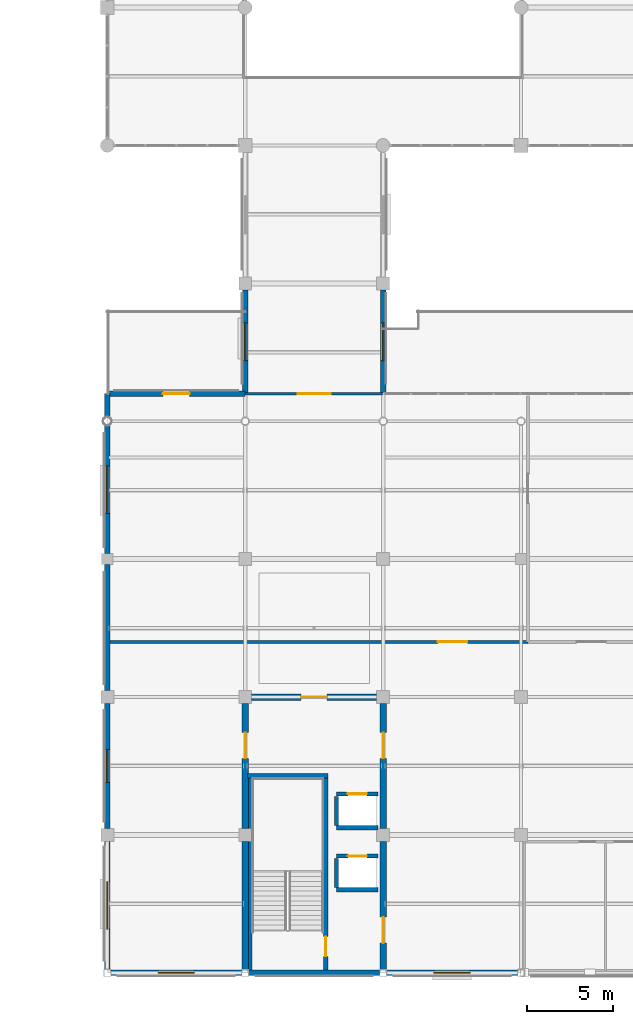
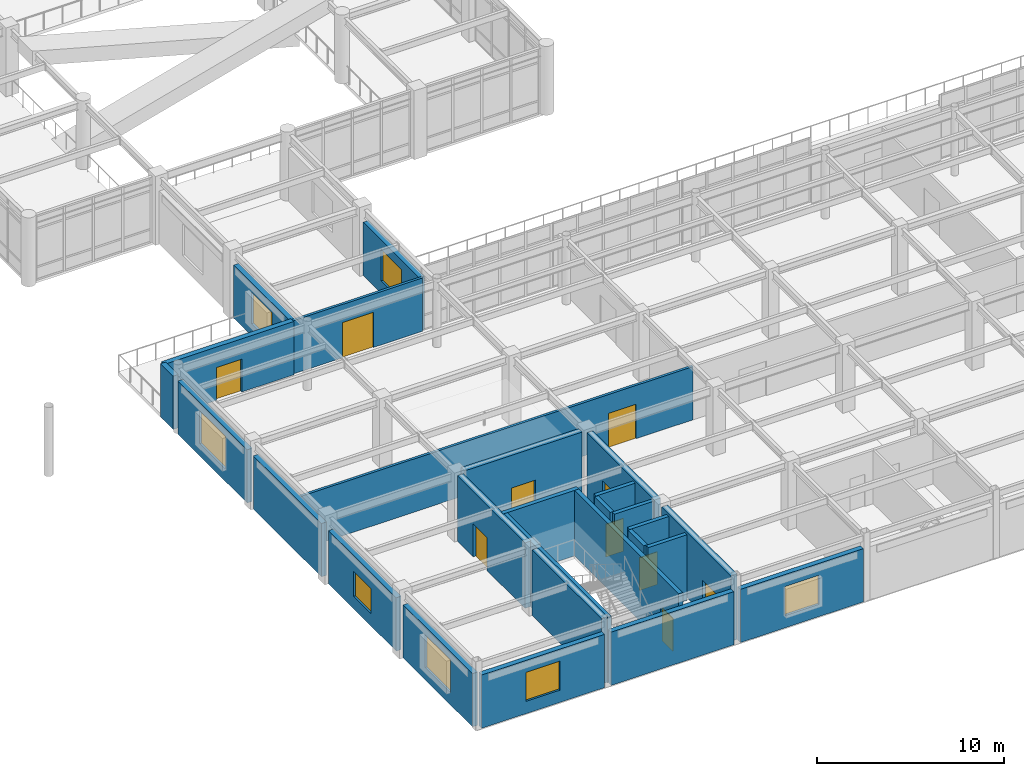
# One storey, part 58 of 93: 27 walls, 10 doors, 7 windows, 17 openings.
"""IFC4 building model written with IfcOpenShell, lengths in metres."""

from ifc_helpers import new_model, si_unit, direction, frame, frame_2d, origin, place, context, subcontext, project, spatial, rectangle, extrude, material, layer, layer_set, type_object, element, fill, save


model = new_model("IFC4")

# Units and contexts
model_context = context("Model", 3, precision=1e-05, world=origin(), true_north=direction((0.0, 1.0)))
body_context = subcontext(model_context, "Body", "Model", "MODEL_VIEW")
ifc_project = project(units=[si_unit("LENGTHUNIT", "METRE"), si_unit("AREAUNIT", "SQUARE_METRE"), si_unit("VOLUMEUNIT", "CUBIC_METRE"), si_unit("PLANEANGLEUNIT", "RADIAN"), si_unit("MASSUNIT", "GRAM", prefix="KILO")], contexts=[model_context])

# Site, building, storey
site_placement = place(None, origin())
site = spatial("IfcSite", under=ifc_project, at=site_placement, CompositionType="ELEMENT")
building_placement = place(site_placement, origin())
building = spatial("IfcBuilding", under=site, at=building_placement, Name="Solmirada Galleria", CompositionType="ELEMENT")
storey_placement = place(building_placement, frame((0.0, 0.0, 14.89990234375)))
storey = spatial("IfcBuildingStorey", under=building, at=storey_placement, Name="L03", CompositionType="ELEMENT", Elevation=14.89990234375)

# Wall, opening, door
ifc_material_1 = material(Name="Concrete C40/50", Category="concrete")
ifc_layer_1 = layer(ifc_material_1, 0.3798828125)
ifc_layer_set_1 = layer_set([ifc_layer_1], Name="Concrete C40/50")
wall_type_1 = type_object("IfcWallType", Name="WL-CORE-380", PredefinedType="SHEAR", material=ifc_layer_set_1)
wall_1_placement = place(storey_placement, frame((88.375, 16.0, 0.0), z_axis=(0.0, 0.0, 1.0), x_axis=(1.0, 0.0, 0.0)))
wall_1 = element("IfcWall", 1, at=wall_1_placement, inside=storey, type_object=wall_type_1, Name="Core C2 shear wall L03 N1", PredefinedType="SHEAR", context=body_context, shape_type="SweptSolid", body=[
    extrude(rectangle(XDim=7.25, YDim=0.3798828125, at=frame_2d((3.625, 0.0))), origin(), (0.0, 0.0, 1.0), 4.280029296875),
])
opening_1_placement = place(wall_1_placement, frame((2.875, 0.0, 0.0)))
opening_1 = element("IfcOpeningElement", 2, at=opening_1_placement, cuts=wall_1, Name="Opening LDY-150", PredefinedType="OPENING", context=body_context, shape_type="SweptSolid", body=[
    extrude(rectangle(XDim=1.5, YDim=2.14990234375, at=frame_2d((0.75, 1.074951171875))), frame((0.0, 0.199951171875, 0.0), z_axis=(0.0, -1.0, 0.0), x_axis=(1.0, 0.0, 0.0)), (0.0, 0.0, 1.0), 0.39990234375),
])
ifc_material_2 = material(Name="Fire-rated painted steel door assembly", Category="steel")
door_type_1 = type_object("IfcDoorType", Name="DR-LOBBY-150X215", OperationType="DOUBLE_DOOR_SINGLE_SWING", PredefinedType="DOOR", material=ifc_material_2)
door_1_placement = place(opening_1_placement, origin())
door_1 = element("IfcDoor", 3, at=door_1_placement, inside=storey, type_object=door_type_1, Name="Core C2 lobby access fire door LDY-150", OperationType="DOUBLE_DOOR_SINGLE_SWING", OverallHeight=2.14990234375, OverallWidth=1.5, PredefinedType="DOOR", context=body_context, shape_type="SweptSolid", body=[
    extrude(rectangle(XDim=1.5, YDim=2.14990234375, at=frame_2d((0.75, 1.074951171875))), frame((0.0, 0.02490234375, 0.0), z_axis=(0.0, -1.0, 0.0), x_axis=(1.0, 0.0, 0.0)), (0.0, 0.0, 1.0), 0.050048828125),
])
fill(opening_1, door_1)

# Wall
wall_2_placement = place(storey_placement, frame((88.0, 0.202880859375, 0.0), z_axis=(0.0, 0.0, 1.0), x_axis=(0.0, 1.0, 0.0)))
element("IfcWall", 4, at=wall_2_placement, inside=storey, type_object=wall_type_1, Name="Core C2 shear wall L03 W1", PredefinedType="SHEAR", context=body_context, shape_type="SweptSolid", body=[
    extrude(rectangle(XDim=7.422119140625, YDim=0.3798828125, at=frame_2d((3.7109375, 0.0))), origin(), (0.0, 0.0, 1.0), 4.280029296875),
])

# Wall, opening, door
wall_3_placement = place(storey_placement, frame((88.0, 8.375, 0.0), z_axis=(0.0, 0.0, 1.0), x_axis=(0.0, 1.0, 0.0)))
wall_3 = element("IfcWall", 5, at=wall_3_placement, inside=storey, type_object=wall_type_1, Name="Core C2 shear wall L03 W2", PredefinedType="SHEAR", context=body_context, shape_type="SweptSolid", body=[
    extrude(rectangle(XDim=7.25, YDim=0.3798828125, at=frame_2d((3.625, 0.0))), origin(), (0.0, 0.0, 1.0), 4.280029296875),
])
opening_2_placement = place(wall_3_placement, frame((4.06201171875, 0.0, 0.0)))
opening_2 = element("IfcOpeningElement", 6, at=opening_2_placement, cuts=wall_3, Name="Opening LDY-151", PredefinedType="OPENING", context=body_context, shape_type="SweptSolid", body=[
    extrude(rectangle(XDim=1.5, YDim=2.14990234375, at=frame_2d((0.75, 1.074951171875))), frame((0.0, 0.199951171875, 0.0), z_axis=(0.0, -1.0, 0.0), x_axis=(1.0, 0.0, 0.0)), (0.0, 0.0, 1.0), 0.39990234375),
])
door_2_placement = place(opening_2_placement, origin())
door_2 = element("IfcDoor", 7, at=door_2_placement, inside=storey, type_object=door_type_1, Name="Core C2 lobby access fire door LDY-151", OperationType="DOUBLE_DOOR_SINGLE_SWING", OverallHeight=2.14990234375, OverallWidth=1.5, PredefinedType="DOOR", context=body_context, shape_type="SweptSolid", body=[
    extrude(rectangle(XDim=1.5, YDim=2.14990234375, at=frame_2d((0.75, 1.074951171875))), frame((0.0, 0.02490234375, 0.0), z_axis=(0.0, -1.0, 0.0), x_axis=(1.0, 0.0, 0.0)), (0.0, 0.0, 1.0), 0.050048828125),
])
fill(opening_2, door_2)

wall_4_placement = place(storey_placement, frame((96.0, 0.202880859375, 0.0), z_axis=(0.0, 0.0, 1.0), x_axis=(0.0, 1.0, 0.0)))
wall_4 = element("IfcWall", 8, at=wall_4_placement, inside=storey, type_object=wall_type_1, Name="Core C2 shear wall L03 E1", PredefinedType="SHEAR", context=body_context, shape_type="SweptSolid", body=[
    extrude(rectangle(XDim=7.422119140625, YDim=0.3798828125, at=frame_2d((3.7109375, 0.0))), origin(), (0.0, 0.0, 1.0), 4.280029296875),
])
opening_3_placement = place(wall_4_placement, frame((1.52294921875, 0.0, 0.0)))
opening_3 = element("IfcOpeningElement", 9, at=opening_3_placement, cuts=wall_4, Name="Opening LDY-152", PredefinedType="OPENING", context=body_context, shape_type="SweptSolid", body=[
    extrude(rectangle(XDim=1.5, YDim=2.14990234375, at=frame_2d((0.75, 1.074951171875))), frame((0.0, 0.199951171875, 0.0), z_axis=(0.0, -1.0, 0.0), x_axis=(1.0, 0.0, 0.0)), (0.0, 0.0, 1.0), 0.39990234375),
])
door_3_placement = place(opening_3_placement, origin())
door_3 = element("IfcDoor", 10, at=door_3_placement, inside=storey, type_object=door_type_1, Name="Core C2 lobby access fire door LDY-152", OperationType="DOUBLE_DOOR_SINGLE_SWING", OverallHeight=2.14990234375, OverallWidth=1.5, PredefinedType="DOOR", context=body_context, shape_type="SweptSolid", body=[
    extrude(rectangle(XDim=1.5, YDim=2.14990234375, at=frame_2d((0.75, 1.074951171875))), frame((0.0, 0.02490234375, 0.0), z_axis=(0.0, -1.0, 0.0), x_axis=(1.0, 0.0, 0.0)), (0.0, 0.0, 1.0), 0.050048828125),
])
fill(opening_3, door_3)

wall_5_placement = place(storey_placement, frame((96.0, 8.375, 0.0), z_axis=(0.0, 0.0, 1.0), x_axis=(0.0, 1.0, 0.0)))
wall_5 = element("IfcWall", 11, at=wall_5_placement, inside=storey, type_object=wall_type_1, Name="Core C2 shear wall L03 E2", PredefinedType="SHEAR", context=body_context, shape_type="SweptSolid", body=[
    extrude(rectangle(XDim=7.25, YDim=0.3798828125, at=frame_2d((3.625, 0.0))), origin(), (0.0, 0.0, 1.0), 4.280029296875),
])
opening_4_placement = place(wall_5_placement, frame((4.06201171875, 0.0, 0.0)))
opening_4 = element("IfcOpeningElement", 12, at=opening_4_placement, cuts=wall_5, Name="Opening LDY-153", PredefinedType="OPENING", context=body_context, shape_type="SweptSolid", body=[
    extrude(rectangle(XDim=1.5, YDim=2.14990234375, at=frame_2d((0.75, 1.074951171875))), frame((0.0, 0.199951171875, 0.0), z_axis=(0.0, -1.0, 0.0), x_axis=(1.0, 0.0, 0.0)), (0.0, 0.0, 1.0), 0.39990234375),
])
door_4_placement = place(opening_4_placement, origin())
door_4 = element("IfcDoor", 13, at=door_4_placement, inside=storey, type_object=door_type_1, Name="Core C2 lobby access fire door LDY-153", OperationType="DOUBLE_DOOR_SINGLE_SWING", OverallHeight=2.14990234375, OverallWidth=1.5, PredefinedType="DOOR", context=body_context, shape_type="SweptSolid", body=[
    extrude(rectangle(XDim=1.5, YDim=2.14990234375, at=frame_2d((0.75, 1.074951171875))), frame((0.0, 0.02490234375, 0.0), z_axis=(0.0, -1.0, 0.0), x_axis=(1.0, 0.0, 0.0)), (0.0, 0.0, 1.0), 0.050048828125),
])
fill(opening_4, door_4)

# Wall, opening, window
ifc_material_3 = material(Name="Precast concrete C40/50", Category="concrete")
ifc_layer_2 = layer(ifc_material_3, 0.31005859375)
ifc_layer_set_2 = layer_set([ifc_layer_2], Name="Precast concrete C40/50")
wall_type_2 = type_object("IfcWallType", Name="WL-EXT-310", PredefinedType="STANDARD", material=ifc_layer_set_2)
wall_6_placement = place(storey_placement, frame((88.0, 33.60009765625, 0.0), z_axis=(0.0, 0.0, 1.0), x_axis=(0.0, 1.0, 0.0)))
wall_6 = element("IfcWall", 14, at=wall_6_placement, inside=storey, type_object=wall_type_2, Name="Exterior wall L03 bay 001", PredefinedType="STANDARD", context=body_context, shape_type="SweptSolid", body=[
    extrude(rectangle(XDim=6.02490234375, YDim=0.31005859375, at=frame_2d((3.012451171875, 0.0))), origin(), (0.0, 0.0, 1.0), 3.47998046875),
])
opening_5_placement = place(wall_6_placement, frame((1.912109375, 0.0, 0.800048828125)))
opening_5 = element("IfcOpeningElement", 15, at=opening_5_placement, cuts=wall_6, Name="Opening WN3", PredefinedType="OPENING", context=body_context, shape_type="SweptSolid", body=[
    extrude(rectangle(XDim=2.199951171875, YDim=2.050048828125, at=frame_2d((1.10009765625, 1.02490234375))), frame((0.0, 0.1650390625, 0.0), z_axis=(0.0, -1.0, 0.0), x_axis=(1.0, 0.0, 0.0)), (0.0, 0.0, 1.0), 0.330078125),
])
ifc_material_4 = material(Name="Impact-resistant low-E double glazing", Category="glass")
window_type_1 = type_object("IfcWindowType", Name="WIN-AVE-220X205", PartitioningType="DOUBLE_PANEL_VERTICAL", PredefinedType="WINDOW", material=ifc_material_4)
window_1_placement = place(opening_5_placement, origin())
window_1 = element("IfcWindow", 16, at=window_1_placement, inside=storey, type_object=window_type_1, Name="Window L03-068", OverallHeight=2.050048828125, OverallWidth=2.199951171875, PartitioningType="DOUBLE_PANEL_VERTICAL", PredefinedType="WINDOW", context=body_context, shape_type="SweptSolid", body=[
    extrude(rectangle(XDim=2.199951171875, YDim=2.050048828125, at=frame_2d((1.10009765625, 1.02490234375))), frame((0.0, 0.030029296875, 0.0), z_axis=(0.0, -1.0, 0.0), x_axis=(1.0, 0.0, 0.0)), (0.0, 0.0, 1.0), 0.06005859375),
])
fill(opening_5, window_1)

wall_7_placement = place(storey_placement, frame((96.0, 39.625, 0.0), z_axis=(0.0, 0.0, 1.0), x_axis=(0.0, -1.0, 0.0)))
wall_7 = element("IfcWall", 17, at=wall_7_placement, inside=storey, type_object=wall_type_2, Name="Exterior wall L03 bay 047", PredefinedType="STANDARD", context=body_context, shape_type="SweptSolid", body=[
    extrude(rectangle(XDim=6.02490234375, YDim=0.31005859375, at=frame_2d((3.012451171875, 0.0))), origin(), (0.0, 0.0, 1.0), 3.47998046875),
])
opening_6_placement = place(wall_7_placement, frame((1.912109375, 0.0, 0.800048828125)))
opening_6 = element("IfcOpeningElement", 18, at=opening_6_placement, cuts=wall_7, Name="Opening WN3", PredefinedType="OPENING", context=body_context, shape_type="SweptSolid", body=[
    extrude(rectangle(XDim=2.199951171875, YDim=2.050048828125, at=frame_2d((1.10009765625, 1.02490234375))), frame((0.0, 0.1650390625, 0.0), z_axis=(0.0, -1.0, 0.0), x_axis=(1.0, 0.0, 0.0)), (0.0, 0.0, 1.0), 0.330078125),
])
window_2_placement = place(opening_6_placement, origin())
window_2 = element("IfcWindow", 19, at=window_2_placement, inside=storey, type_object=window_type_1, Name="Window L03-087", OverallHeight=2.050048828125, OverallWidth=2.199951171875, PartitioningType="DOUBLE_PANEL_VERTICAL", PredefinedType="WINDOW", context=body_context, shape_type="SweptSolid", body=[
    extrude(rectangle(XDim=2.199951171875, YDim=2.050048828125, at=frame_2d((1.10009765625, 1.02490234375))), frame((0.0, 0.030029296875, 0.0), z_axis=(0.0, -1.0, 0.0), x_axis=(1.0, 0.0, 0.0)), (0.0, 0.0, 1.0), 0.06005859375),
])
fill(opening_6, window_2)

wall_8_placement = place(storey_placement, frame((103.797119140625, 0.0, 0.0), z_axis=(0.0, 0.0, 1.0), x_axis=(-1.0, 0.0, 0.0)))
wall_8 = element("IfcWall", 20, at=wall_8_placement, inside=storey, type_object=wall_type_2, Name="Exterior wall L03 bay 064", PredefinedType="STANDARD", context=body_context, shape_type="SweptSolid", body=[
    extrude(rectangle(XDim=7.59423828125, YDim=0.31005859375, at=frame_2d((3.797119140625, 0.0))), origin(), (0.0, 0.0, 1.0), 3.47998046875),
])
opening_7_placement = place(wall_8_placement, frame((2.7470703125, 0.0, 0.800048828125)))
opening_7 = element("IfcOpeningElement", 21, at=opening_7_placement, cuts=wall_8, Name="Opening WN29", PredefinedType="OPENING", context=body_context, shape_type="SweptSolid", body=[
    extrude(rectangle(XDim=2.10009765625, YDim=1.89990234375, at=frame_2d((1.050048828125, 0.949951171875))), frame((0.0, 0.1650390625, 0.0), z_axis=(0.0, -1.0, 0.0), x_axis=(1.0, 0.0, 0.0)), (0.0, 0.0, 1.0), 0.330078125),
])
window_type_2 = type_object("IfcWindowType", Name="WIN-ATEL-210X190", PartitioningType="DOUBLE_PANEL_VERTICAL", PredefinedType="WINDOW", material=ifc_material_4)
window_3_placement = place(opening_7_placement, origin())
window_3 = element("IfcWindow", 22, at=window_3_placement, inside=storey, type_object=window_type_2, Name="Window L03-092", OverallHeight=1.89990234375, OverallWidth=2.10009765625, PartitioningType="DOUBLE_PANEL_VERTICAL", PredefinedType="WINDOW", context=body_context, shape_type="SweptSolid", body=[
    extrude(rectangle(XDim=2.10009765625, YDim=1.89990234375, at=frame_2d((1.050048828125, 0.949951171875))), frame((0.0, 0.030029296875, 0.0), z_axis=(0.0, -1.0, 0.0), x_axis=(1.0, 0.0, 0.0)), (0.0, 0.0, 1.0), 0.06005859375),
])
fill(opening_7, window_3)

# Wall
wall_9_placement = place(storey_placement, frame((95.797119140625, 0.0, 0.0), z_axis=(0.0, 0.0, 1.0), x_axis=(-1.0, 0.0, 0.0)))
element("IfcWall", 23, at=wall_9_placement, inside=storey, type_object=wall_type_2, Name="Exterior wall L03 bay 065", PredefinedType="STANDARD", context=body_context, shape_type="SweptSolid", body=[
    extrude(rectangle(XDim=7.59423828125, YDim=0.31005859375, at=frame_2d((3.797119140625, 0.0))), origin(), (0.0, 0.0, 1.0), 3.47998046875),
])

# Wall, opening, window
wall_10_placement = place(storey_placement, frame((87.797119140625, 0.0, 0.0), z_axis=(0.0, 0.0, 1.0), x_axis=(-1.0, 0.0, 0.0)))
wall_10 = element("IfcWall", 24, at=wall_10_placement, inside=storey, type_object=wall_type_2, Name="Exterior wall L03 bay 066", PredefinedType="STANDARD", context=body_context, shape_type="SweptSolid", body=[
    extrude(rectangle(XDim=7.59423828125, YDim=0.31005859375, at=frame_2d((3.797119140625, 0.0))), origin(), (0.0, 0.0, 1.0), 3.47998046875),
])
opening_8_placement = place(wall_10_placement, frame((2.7470703125, 0.0, 0.800048828125)))
opening_8 = element("IfcOpeningElement", 25, at=opening_8_placement, cuts=wall_10, Name="Opening WN29", PredefinedType="OPENING", context=body_context, shape_type="SweptSolid", body=[
    extrude(rectangle(XDim=2.10009765625, YDim=1.89990234375, at=frame_2d((1.050048828125, 0.949951171875))), frame((0.0, 0.1650390625, 0.0), z_axis=(0.0, -1.0, 0.0), x_axis=(1.0, 0.0, 0.0)), (0.0, 0.0, 1.0), 0.330078125),
])
window_4_placement = place(opening_8_placement, origin())
window_4 = element("IfcWindow", 26, at=window_4_placement, inside=storey, type_object=window_type_2, Name="Window L03-093", OverallHeight=1.89990234375, OverallWidth=2.10009765625, PartitioningType="DOUBLE_PANEL_VERTICAL", PredefinedType="WINDOW", context=body_context, shape_type="SweptSolid", body=[
    extrude(rectangle(XDim=2.10009765625, YDim=1.89990234375, at=frame_2d((1.050048828125, 0.949951171875))), frame((0.0, 0.030029296875, 0.0), z_axis=(0.0, -1.0, 0.0), x_axis=(1.0, 0.0, 0.0)), (0.0, 0.0, 1.0), 0.06005859375),
])
fill(opening_8, window_4)

wall_11_placement = place(storey_placement, frame((80.0, 0.202880859375, 0.0), z_axis=(0.0, 0.0, 1.0), x_axis=(0.0, 1.0, 0.0)))
wall_11 = element("IfcWall", 27, at=wall_11_placement, inside=storey, type_object=wall_type_2, Name="Exterior wall L03 bay 067", PredefinedType="STANDARD", context=body_context, shape_type="SweptSolid", body=[
    extrude(rectangle(XDim=7.422119140625, YDim=0.31005859375, at=frame_2d((3.7109375, 0.0))), origin(), (0.0, 0.0, 1.0), 3.47998046875),
])
opening_9_placement = place(wall_11_placement, frame((2.3359375, 0.0, 0.800048828125)))
opening_9 = element("IfcOpeningElement", 28, at=opening_9_placement, cuts=wall_11, Name="Opening WN33", PredefinedType="OPENING", context=body_context, shape_type="SweptSolid", body=[
    extrude(rectangle(XDim=2.75, YDim=2.14990234375, at=frame_2d((1.375, 1.074951171875))), frame((0.0, 0.1650390625, 0.0), z_axis=(0.0, -1.0, 0.0), x_axis=(1.0, 0.0, 0.0)), (0.0, 0.0, 1.0), 0.330078125),
])
window_type_3 = type_object("IfcWindowType", Name="WIN-BRAS-275X215", PartitioningType="TRIPLE_PANEL_VERTICAL", PredefinedType="WINDOW", material=ifc_material_4)
window_5_placement = place(opening_9_placement, origin())
window_5 = element("IfcWindow", 29, at=window_5_placement, inside=storey, type_object=window_type_3, Name="Window L03-094", OverallHeight=2.14990234375, OverallWidth=2.75, PartitioningType="TRIPLE_PANEL_VERTICAL", PredefinedType="WINDOW", context=body_context, shape_type="SweptSolid", body=[
    extrude(rectangle(XDim=2.75, YDim=2.14990234375, at=frame_2d((1.375, 1.074951171875))), frame((0.0, 0.030029296875, 0.0), z_axis=(0.0, -1.0, 0.0), x_axis=(1.0, 0.0, 0.0)), (0.0, 0.0, 1.0), 0.06005859375),
])
fill(opening_9, window_5)

wall_12_placement = place(storey_placement, frame((80.0, 8.375, 0.0), z_axis=(0.0, 0.0, 1.0), x_axis=(0.0, 1.0, 0.0)))
wall_12 = element("IfcWall", 30, at=wall_12_placement, inside=storey, type_object=wall_type_2, Name="Exterior wall L03 bay 068", PredefinedType="STANDARD", context=body_context, shape_type="SweptSolid", body=[
    extrude(rectangle(XDim=7.25, YDim=0.31005859375, at=frame_2d((3.625, 0.0))), origin(), (0.0, 0.0, 1.0), 3.47998046875),
])
opening_10_placement = place(wall_12_placement, frame((2.675048828125, 0.0, 0.800048828125)))
opening_10 = element("IfcOpeningElement", 31, at=opening_10_placement, cuts=wall_12, Name="Opening WN18", PredefinedType="OPENING", context=body_context, shape_type="SweptSolid", body=[
    extrude(rectangle(XDim=1.89990234375, YDim=1.64990234375, at=frame_2d((0.949951171875, 0.824951171875))), frame((0.0, 0.1650390625, 0.0), z_axis=(0.0, -1.0, 0.0), x_axis=(1.0, 0.0, 0.0)), (0.0, 0.0, 1.0), 0.330078125),
])
window_type_4 = type_object("IfcWindowType", Name="WIN-FH-190X165", PartitioningType="DOUBLE_PANEL_VERTICAL", PredefinedType="WINDOW", material=ifc_material_4)
window_6_placement = place(opening_10_placement, origin())
window_6 = element("IfcWindow", 32, at=window_6_placement, inside=storey, type_object=window_type_4, Name="Window L03-095", OverallHeight=1.64990234375, OverallWidth=1.89990234375, PartitioningType="DOUBLE_PANEL_VERTICAL", PredefinedType="WINDOW", context=body_context, shape_type="SweptSolid", body=[
    extrude(rectangle(XDim=1.89990234375, YDim=1.64990234375, at=frame_2d((0.949951171875, 0.824951171875))), frame((0.0, 0.030029296875, 0.0), z_axis=(0.0, -1.0, 0.0), x_axis=(1.0, 0.0, 0.0)), (0.0, 0.0, 1.0), 0.06005859375),
])
fill(opening_10, window_6)

# Wall
wall_13_placement = place(storey_placement, frame((80.0, 16.375, 0.0), z_axis=(0.0, 0.0, 1.0), x_axis=(0.0, 1.0, 0.0)))
element("IfcWall", 33, at=wall_13_placement, inside=storey, type_object=wall_type_2, Name="Exterior wall L03 bay 069", PredefinedType="STANDARD", context=body_context, shape_type="SweptSolid", body=[
    extrude(rectangle(XDim=7.300048828125, YDim=0.31005859375, at=frame_2d((3.64990234375, 0.0))), origin(), (0.0, 0.0, 1.0), 3.47998046875),
])

# Wall, opening, window
wall_14_placement = place(storey_placement, frame((80.0, 24.324951171875, 0.0), z_axis=(0.0, 0.0, 1.0), x_axis=(0.0, 1.0, 0.0)))
wall_14 = element("IfcWall", 34, at=wall_14_placement, inside=storey, type_object=wall_type_2, Name="Exterior wall L03 bay 070", PredefinedType="STANDARD", context=body_context, shape_type="SweptSolid", body=[
    extrude(rectangle(XDim=7.421142578125, YDim=0.31005859375, at=frame_2d((3.71044921875, 0.0))), origin(), (0.0, 0.0, 1.0), 3.47998046875),
])
opening_11_placement = place(wall_14_placement, frame((2.3349609375, 0.0, 0.800048828125)))
opening_11 = element("IfcOpeningElement", 35, at=opening_11_placement, cuts=wall_14, Name="Opening WN33", PredefinedType="OPENING", context=body_context, shape_type="SweptSolid", body=[
    extrude(rectangle(XDim=2.75, YDim=2.14990234375, at=frame_2d((1.375, 1.074951171875))), frame((0.0, 0.1650390625, 0.0), z_axis=(0.0, -1.0, 0.0), x_axis=(1.0, 0.0, 0.0)), (0.0, 0.0, 1.0), 0.330078125),
])
window_7_placement = place(opening_11_placement, origin())
window_7 = element("IfcWindow", 36, at=window_7_placement, inside=storey, type_object=window_type_3, Name="Window L03-096", OverallHeight=2.14990234375, OverallWidth=2.75, PartitioningType="TRIPLE_PANEL_VERTICAL", PredefinedType="WINDOW", context=body_context, shape_type="SweptSolid", body=[
    extrude(rectangle(XDim=2.75, YDim=2.14990234375, at=frame_2d((1.375, 1.074951171875))), frame((0.0, 0.030029296875, 0.0), z_axis=(0.0, -1.0, 0.0), x_axis=(1.0, 0.0, 0.0)), (0.0, 0.0, 1.0), 0.06005859375),
])
fill(opening_11, window_7)

# Wall
wall_15_placement = place(storey_placement, frame((80.0, 32.25390625, 0.0), z_axis=(0.0, 0.0, 1.0), x_axis=(0.0, 1.0, 0.0)))
element("IfcWall", 37, at=wall_15_placement, inside=storey, type_object=wall_type_2, Name="Exterior wall L03 bay 071", PredefinedType="STANDARD", context=body_context, shape_type="SweptSolid", body=[
    extrude(rectangle(XDim=1.34619140625, YDim=0.31005859375, at=frame_2d((0.673095703125, 0.0))), origin(), (0.0, 0.0, 1.0), 3.47998046875),
])

# Wall, opening, door
wall_16_placement = place(storey_placement, frame((80.0, 33.60009765625, 0.0), z_axis=(0.0, 0.0, 1.0), x_axis=(1.0, 0.0, 0.0)))
wall_16 = element("IfcWall", 38, at=wall_16_placement, inside=storey, type_object=wall_type_2, Name="Exterior wall L03 bay 072", PredefinedType="STANDARD", context=body_context, shape_type="SweptSolid", body=[
    extrude(rectangle(XDim=8.0, YDim=0.31005859375, at=frame_2d((4.0, 0.0))), origin(), (0.0, 0.0, 1.0), 3.47998046875),
])
opening_12_placement = place(wall_16_placement, frame((3.22509765625, 0.0, 0.0)))
opening_12 = element("IfcOpeningElement", 39, at=opening_12_placement, cuts=wall_16, Name="Opening TD-069", PredefinedType="OPENING", context=body_context, shape_type="SweptSolid", body=[
    extrude(rectangle(XDim=1.550048828125, YDim=2.14990234375, at=frame_2d((0.77490234375, 1.074951171875))), frame((0.0, 0.1650390625, 0.0), z_axis=(0.0, -1.0, 0.0), x_axis=(1.0, 0.0, 0.0)), (0.0, 0.0, 1.0), 0.330078125),
])
ifc_material_5 = material(Name="Thermally broken aluminium and laminated glass door", Category="aluminium")
door_type_2 = type_object("IfcDoorType", Name="DR-TERR-155X215", OperationType="DOUBLE_DOOR_SINGLE_SWING", PredefinedType="DOOR", material=ifc_material_5)
door_5_placement = place(opening_12_placement, origin())
door_5 = element("IfcDoor", 40, at=door_5_placement, inside=storey, type_object=door_type_2, Name="Planted terrace access door TD-069", OperationType="DOUBLE_DOOR_SINGLE_SWING", OverallHeight=2.14990234375, OverallWidth=1.550048828125, PredefinedType="DOOR", context=body_context, shape_type="SweptSolid", body=[
    extrude(rectangle(XDim=1.550048828125, YDim=2.14990234375, at=frame_2d((0.77490234375, 1.074951171875))), frame((0.0, 0.02490234375, 0.0), z_axis=(0.0, -1.0, 0.0), x_axis=(1.0, 0.0, 0.0)), (0.0, 0.0, 1.0), 0.050048828125),
])
fill(opening_12, door_5)

ifc_layer_3 = layer(ifc_material_1, 0.239990234375)
ifc_layer_set_3 = layer_set([ifc_layer_3], Name="Concrete C40/50")
wall_type_3 = type_object("IfcWallType", Name="WL-HOIST-240", PredefinedType="PARTITIONING", material=ifc_layer_set_3)
wall_17_placement = place(storey_placement, frame((93.294921875, 6.780029296875, 0.0), z_axis=(0.0, 0.0, 1.0), x_axis=(1.0, 0.0, 0.0)))
wall_17 = element("IfcWall", 41, at=wall_17_placement, inside=storey, type_object=wall_type_3, Name="Lift LP3 hoistway front wall L03", PredefinedType="PARTITIONING", context=body_context, shape_type="SweptSolid", body=[
    extrude(rectangle(XDim=2.41015625, YDim=0.239990234375, at=frame_2d((1.205078125, 0.0))), origin(), (0.0, 0.0, 1.0), 4.280029296875),
])
opening_13_placement = place(wall_17_placement, frame((0.655029296875, 0.0, 0.0)))
opening_13 = element("IfcOpeningElement", 42, at=opening_13_placement, cuts=wall_17, Name="Opening LD-LP3-L03", PredefinedType="OPENING", context=body_context, shape_type="SweptSolid", body=[
    extrude(rectangle(XDim=1.10009765625, YDim=2.14990234375, at=frame_2d((0.550048828125, 1.074951171875))), frame((0.0, 0.1298828125, 0.0), z_axis=(0.0, -1.0, 0.0), x_axis=(1.0, 0.0, 0.0)), (0.0, 0.0, 1.0), 0.260009765625),
])
ifc_material_6 = material(Name="Brushed stainless-steel sliding landing door", Category="steel")
door_type_3 = type_object("IfcDoorType", Name="DR-LIFT-110X215", OperationType="SLIDING_TO_LEFT", PredefinedType="DOOR", material=ifc_material_6)
door_6_placement = place(opening_13_placement, origin())
door_6 = element("IfcDoor", 43, at=door_6_placement, inside=storey, type_object=door_type_3, Name="Lift LP3 sliding landing door L03", OperationType="SLIDING_TO_LEFT", OverallHeight=2.14990234375, OverallWidth=1.10009765625, PredefinedType="DOOR", context=body_context, shape_type="SweptSolid", body=[
    extrude(rectangle(XDim=1.10009765625, YDim=2.14990234375, at=frame_2d((0.550048828125, 1.074951171875))), frame((0.0, 0.02490234375, 0.0), z_axis=(0.0, -1.0, 0.0), x_axis=(1.0, 0.0, 0.0)), (0.0, 0.0, 1.0), 0.050048828125),
])
fill(opening_13, door_6)

# Walls
wall_18_placement = place(storey_placement, frame((93.294921875, 4.820068359375, 0.0), z_axis=(0.0, 0.0, 1.0), x_axis=(1.0, 0.0, 0.0)))
element("IfcWall", 44, at=wall_18_placement, inside=storey, type_object=wall_type_3, Name="Lift LP3 hoistway rear wall L03", PredefinedType="PARTITIONING", context=body_context, shape_type="SweptSolid", body=[
    extrude(rectangle(XDim=2.41015625, YDim=0.239990234375, at=frame_2d((1.205078125, 0.0))), origin(), (0.0, 0.0, 1.0), 4.280029296875),
])
wall_19_placement = place(storey_placement, frame((93.294921875, 4.9599609375, 0.0), z_axis=(0.0, 0.0, 1.0), x_axis=(0.0, 1.0, 0.0)))
element("IfcWall", 45, at=wall_19_placement, inside=storey, type_object=wall_type_3, Name="Lift LP3 hoistway side wall L L03", PredefinedType="PARTITIONING", context=body_context, shape_type="SweptSolid", body=[
    extrude(rectangle(XDim=1.679931640625, YDim=0.239990234375, at=frame_2d((0.83984375, 0.0))), origin(), (0.0, 0.0, 1.0), 4.280029296875),
])

# Wall, opening, door
wall_20_placement = place(storey_placement, frame((93.294921875, 10.3798828125, 0.0), z_axis=(0.0, 0.0, 1.0), x_axis=(1.0, 0.0, 0.0)))
wall_20 = element("IfcWall", 46, at=wall_20_placement, inside=storey, type_object=wall_type_3, Name="Lift LP4 hoistway front wall L03", PredefinedType="PARTITIONING", context=body_context, shape_type="SweptSolid", body=[
    extrude(rectangle(XDim=2.41015625, YDim=0.239990234375, at=frame_2d((1.205078125, 0.0))), origin(), (0.0, 0.0, 1.0), 4.280029296875),
])
opening_14_placement = place(wall_20_placement, frame((0.655029296875, 0.0, 0.0)))
opening_14 = element("IfcOpeningElement", 47, at=opening_14_placement, cuts=wall_20, Name="Opening LD-LP4-L03", PredefinedType="OPENING", context=body_context, shape_type="SweptSolid", body=[
    extrude(rectangle(XDim=1.10009765625, YDim=2.14990234375, at=frame_2d((0.550048828125, 1.074951171875))), frame((0.0, 0.1298828125, 0.0), z_axis=(0.0, -1.0, 0.0), x_axis=(1.0, 0.0, 0.0)), (0.0, 0.0, 1.0), 0.260009765625),
])
door_7_placement = place(opening_14_placement, origin())
door_7 = element("IfcDoor", 48, at=door_7_placement, inside=storey, type_object=door_type_3, Name="Lift LP4 sliding landing door L03", OperationType="SLIDING_TO_LEFT", OverallHeight=2.14990234375, OverallWidth=1.10009765625, PredefinedType="DOOR", context=body_context, shape_type="SweptSolid", body=[
    extrude(rectangle(XDim=1.10009765625, YDim=2.14990234375, at=frame_2d((0.550048828125, 1.074951171875))), frame((0.0, 0.02490234375, 0.0), z_axis=(0.0, -1.0, 0.0), x_axis=(1.0, 0.0, 0.0)), (0.0, 0.0, 1.0), 0.050048828125),
])
fill(opening_14, door_7)

# Walls
wall_21_placement = place(storey_placement, frame((93.294921875, 8.419921875, 0.0), z_axis=(0.0, 0.0, 1.0), x_axis=(1.0, 0.0, 0.0)))
element("IfcWall", 49, at=wall_21_placement, inside=storey, type_object=wall_type_3, Name="Lift LP4 hoistway rear wall L03", PredefinedType="PARTITIONING", context=body_context, shape_type="SweptSolid", body=[
    extrude(rectangle(XDim=2.41015625, YDim=0.239990234375, at=frame_2d((1.205078125, 0.0))), origin(), (0.0, 0.0, 1.0), 4.280029296875),
])
wall_22_placement = place(storey_placement, frame((93.294921875, 8.56005859375, 0.0), z_axis=(0.0, 0.0, 1.0), x_axis=(0.0, 1.0, 0.0)))
element("IfcWall", 50, at=wall_22_placement, inside=storey, type_object=wall_type_3, Name="Lift LP4 hoistway side wall L L03", PredefinedType="PARTITIONING", context=body_context, shape_type="SweptSolid", body=[
    extrude(rectangle(XDim=1.679931640625, YDim=0.239990234375, at=frame_2d((0.83984375, 0.0))), origin(), (0.0, 0.0, 1.0), 4.280029296875),
])

# Wall, opening, door
ifc_material_7 = material(Name="Acoustic gypsum board partition")
ifc_layer_4 = layer(ifc_material_7, 0.159912109375)
ifc_layer_set_4 = layer_set([ifc_layer_4], Name="Acoustic gypsum board partition")
wall_type_4 = type_object("IfcWallType", Name="WL-PART-160", PredefinedType="PARTITIONING", material=ifc_layer_set_4)
wall_23_placement = place(storey_placement, frame((80.14990234375, 19.199951171875, 0.0), z_axis=(0.0, 0.0, 1.0), x_axis=(1.0, 0.0, 0.0)))
wall_23 = element("IfcWall", 51, at=wall_23_placement, inside=storey, type_object=wall_type_4, Name="Partition L03-108 (South Gallery W L03)", PredefinedType="PARTITIONING", context=body_context, shape_type="SweptSolid", body=[
    extrude(rectangle(XDim=24.25, YDim=0.159912109375, at=frame_2d((12.125, 0.0))), origin(), (0.0, 0.0, 1.0), 3.47998046875),
])
opening_15_placement = place(wall_23_placement, frame((19.032958984375, 0.0, 0.0)))
opening_15 = element("IfcOpeningElement", 52, at=opening_15_placement, cuts=wall_23, Name="Opening ID-335", PredefinedType="OPENING", context=body_context, shape_type="SweptSolid", body=[
    extrude(rectangle(XDim=1.699951171875, YDim=2.25, at=frame_2d((0.85009765625, 1.125))), frame((0.0, 0.08984375, 0.0), z_axis=(0.0, -1.0, 0.0), x_axis=(1.0, 0.0, 0.0)), (0.0, 0.0, 1.0), 0.179931640625),
])
ifc_material_8 = material(Name="Architectural hardwood veneer door", Category="wood")
door_type_4 = type_object("IfcDoorType", Name="DR-DEPT-170X225", OperationType="DOUBLE_DOOR_SINGLE_SWING", PredefinedType="DOOR", material=ifc_material_8)
door_8_placement = place(opening_15_placement, origin())
door_8 = element("IfcDoor", 53, at=door_8_placement, inside=storey, type_object=door_type_4, Name="South Gallery W L03 door ID-335", OperationType="DOUBLE_DOOR_SINGLE_SWING", OverallHeight=2.25, OverallWidth=1.699951171875, PredefinedType="DOOR", context=body_context, shape_type="SweptSolid", body=[
    extrude(rectangle(XDim=1.699951171875, YDim=2.25, at=frame_2d((0.85009765625, 1.125))), frame((0.0, 0.02490234375, 0.0), z_axis=(0.0, -1.0, 0.0), x_axis=(1.0, 0.0, 0.0)), (0.0, 0.0, 1.0), 0.050048828125),
])
fill(opening_15, door_8)

wall_24_placement = place(storey_placement, frame((88.0, 33.60009765625, 0.0), z_axis=(0.0, 0.0, 1.0), x_axis=(1.0, 0.0, 0.0)))
wall_24 = element("IfcWall", 54, at=wall_24_placement, inside=storey, type_object=wall_type_4, Name="Partition L03-113 (South Atrium Link L03)", PredefinedType="PARTITIONING", context=body_context, shape_type="SweptSolid", body=[
    extrude(rectangle(XDim=8.0, YDim=0.159912109375, at=frame_2d((4.0, 0.0))), origin(), (0.0, 0.0, 1.0), 3.47998046875),
])
opening_16_placement = place(wall_24_placement, frame((3.050048828125, 0.0, 0.0)))
opening_16 = element("IfcOpeningElement", 55, at=opening_16_placement, cuts=wall_24, Name="Opening ID-340", PredefinedType="OPENING", context=body_context, shape_type="SweptSolid", body=[
    extrude(rectangle(XDim=1.89990234375, YDim=2.300048828125, at=frame_2d((0.949951171875, 1.14990234375))), frame((0.0, 0.08984375, 0.0), z_axis=(0.0, -1.0, 0.0), x_axis=(1.0, 0.0, 0.0)), (0.0, 0.0, 1.0), 0.179931640625),
])
door_type_5 = type_object("IfcDoorType", Name="DR-DEPT-190X230", OperationType="DOUBLE_DOOR_SINGLE_SWING", PredefinedType="DOOR", material=ifc_material_8)
door_9_placement = place(opening_16_placement, origin())
door_9 = element("IfcDoor", 56, at=door_9_placement, inside=storey, type_object=door_type_5, Name="South Atrium Link L03 door ID-340", OperationType="DOUBLE_DOOR_SINGLE_SWING", OverallHeight=2.300048828125, OverallWidth=1.89990234375, PredefinedType="DOOR", context=body_context, shape_type="SweptSolid", body=[
    extrude(rectangle(XDim=1.89990234375, YDim=2.300048828125, at=frame_2d((0.949951171875, 1.14990234375))), frame((0.0, 0.02490234375, 0.0), z_axis=(0.0, -1.0, 0.0), x_axis=(1.0, 0.0, 0.0)), (0.0, 0.0, 1.0), 0.050048828125),
])
fill(opening_16, door_9)

# Walls
ifc_layer_5 = layer(ifc_material_1, 0.260009765625)
ifc_layer_set_5 = layer_set([ifc_layer_5], Name="Concrete C40/50")
wall_type_5 = type_object("IfcWallType", Name="WL-SHAFT-260", PredefinedType="SHEAR", material=ifc_layer_set_5)
wall_25_placement = place(storey_placement, frame((88.139892578125, 11.429931640625, 0.0), z_axis=(0.0, 0.0, 1.0), x_axis=(1.0, 0.0, 0.0)))
element("IfcWall", 57, at=wall_25_placement, inside=storey, type_object=wall_type_5, Name="Stair ST2 enclosure wall L03 N", PredefinedType="SHEAR", context=body_context, shape_type="SweptSolid", body=[
    extrude(rectangle(XDim=4.670166015625, YDim=0.260009765625, at=frame_2d((2.3349609375, 0.0))), origin(), (0.0, 0.0, 1.0), 4.280029296875),
])
wall_26_placement = place(storey_placement, frame((88.27001953125, 0.14501953125, 0.0), z_axis=(0.0, 0.0, 1.0), x_axis=(0.0, 1.0, 0.0)))
element("IfcWall", 58, at=wall_26_placement, inside=storey, type_object=wall_type_5, Name="Stair ST2 enclosure wall L03 W", PredefinedType="SHEAR", context=body_context, shape_type="SweptSolid", body=[
    extrude(rectangle(XDim=11.155029296875, YDim=0.260009765625, at=frame_2d((5.57763671875, 0.0))), origin(), (0.0, 0.0, 1.0), 4.280029296875),
])

# Wall, opening, door
wall_27_placement = place(storey_placement, frame((92.679931640625, 0.14501953125, 0.0), z_axis=(0.0, 0.0, 1.0), x_axis=(0.0, 1.0, 0.0)))
wall_27 = element("IfcWall", 59, at=wall_27_placement, inside=storey, type_object=wall_type_5, Name="Stair ST2 enclosure wall L03 E", PredefinedType="SHEAR", context=body_context, shape_type="SweptSolid", body=[
    extrude(rectangle(XDim=11.155029296875, YDim=0.260009765625, at=frame_2d((5.57763671875, 0.0))), origin(), (0.0, 0.0, 1.0), 4.280029296875),
])
opening_17_placement = place(wall_27_placement, frame((0.804931640625, 0.0, 0.0)))
opening_17 = element("IfcOpeningElement", 60, at=opening_17_placement, cuts=wall_27, Name="Opening SD-149", PredefinedType="OPENING", context=body_context, shape_type="SweptSolid", body=[
    extrude(rectangle(XDim=1.14990234375, YDim=2.14990234375, at=frame_2d((0.574951171875, 1.074951171875))), frame((0.0, 0.139892578125, 0.0), z_axis=(0.0, -1.0, 0.0), x_axis=(1.0, 0.0, 0.0)), (0.0, 0.0, 1.0), 0.280029296875),
])
door_type_6 = type_object("IfcDoorType", Name="DR-STAIR-115X215", OperationType="NOTDEFINED", PredefinedType="DOOR", material=ifc_material_2)
door_10_placement = place(opening_17_placement, origin())
door_10 = element("IfcDoor", 61, at=door_10_placement, inside=storey, type_object=door_type_6, Name="Exit stair ST2 enclosure fire door SD-149", OperationType="SINGLE_SWING_LEFT", OverallHeight=2.14990234375, OverallWidth=1.14990234375, PredefinedType="DOOR", context=body_context, shape_type="SweptSolid", body=[
    extrude(rectangle(XDim=1.14990234375, YDim=2.14990234375, at=frame_2d((0.574951171875, 1.074951171875))), frame((0.0, 0.02490234375, 0.0), z_axis=(0.0, -1.0, 0.0), x_axis=(1.0, 0.0, 0.0)), (0.0, 0.0, 1.0), 0.050048828125),
])
fill(opening_17, door_10)

save(model, "model.ifc")
